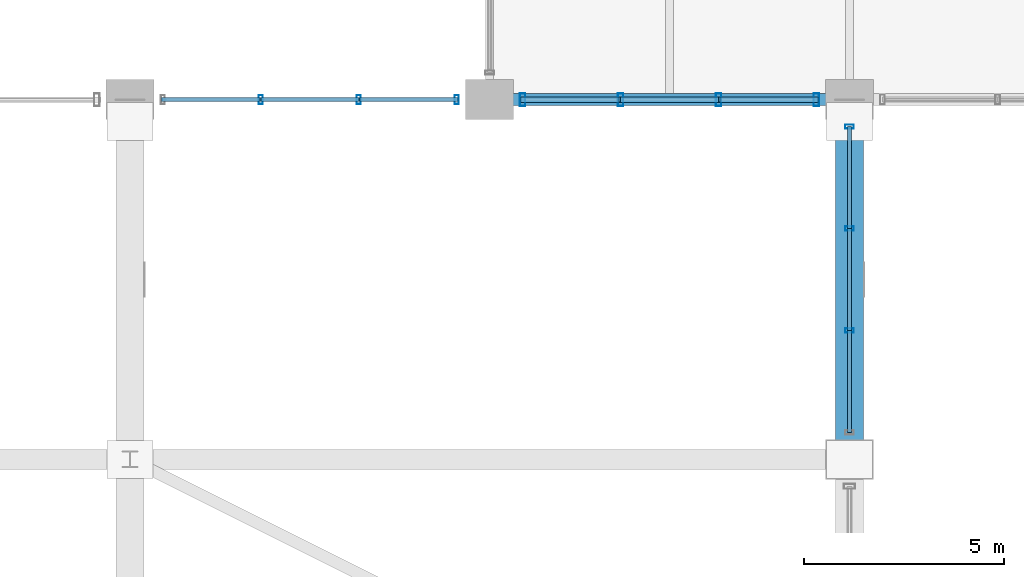
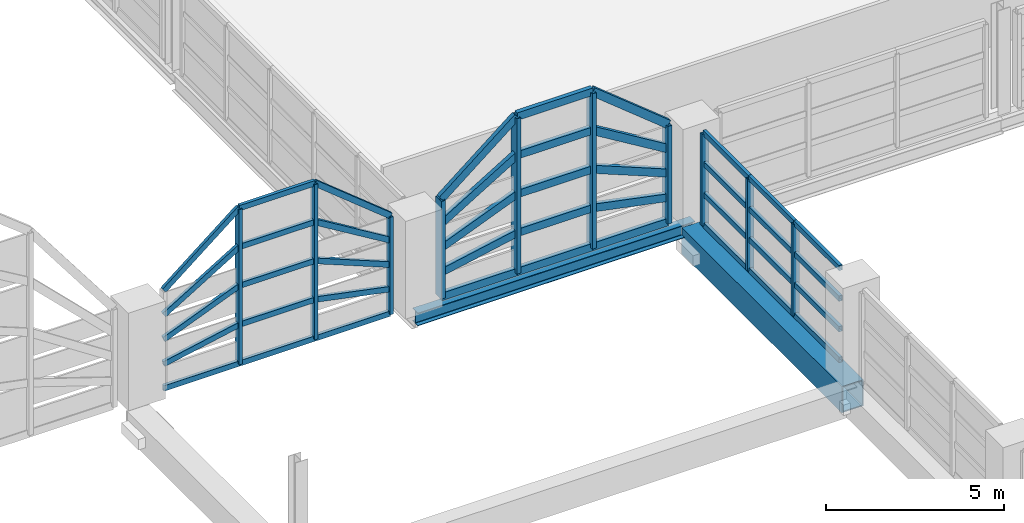
# One storey, part 54 of 116: 52 members, 2 beams, 3 elements without a shape of their own.
"""IFC4 building model written with IfcOpenShell, lengths in metres."""

from ifc_helpers import new_model, si_unit, direction, frame, origin, origin_2d, place, context, subcontext, project, spatial, hollow_rectangle, i_section, extrude, material, material_profile, profile_set, type_object, element, aggregate, save


model = new_model("IFC4")

# Units and contexts
model_context = context("Model", 3, precision=1e-05, world=origin(), true_north=direction((0.0, 1.0)))
body_context = subcontext(model_context, "Body", "Model", "MODEL_VIEW")
ifc_project = project(units=[si_unit("LENGTHUNIT", "METRE"), si_unit("AREAUNIT", "SQUARE_METRE"), si_unit("VOLUMEUNIT", "CUBIC_METRE"), si_unit("PLANEANGLEUNIT", "RADIAN"), si_unit("MASSUNIT", "GRAM", prefix="KILO")], contexts=[model_context])

# Site, building, storey
site_placement = place(None, origin())
site = spatial("IfcSite", under=ifc_project, at=site_placement, CompositionType="ELEMENT")
building_placement = place(site_placement, origin())
building = spatial("IfcBuilding", under=site, at=building_placement, Name="Chuanluo Vaults Station", CompositionType="ELEMENT")
storey_placement = place(building_placement, frame((0.0, 0.0, 10.800048828125)))
storey = spatial("IfcBuildingStorey", under=building, at=storey_placement, Name="L02", CompositionType="ELEMENT", Elevation=10.800048828125)

# Beams
ifc_material_1 = material(Name="Steel Q355C", Category="steel")
ifc_material_profile_1 = material_profile(ifc_material_1, i_section(OverallWidth=0.300048828125, OverallDepth=0.43994140625, WebThickness=0.010986328125, FlangeThickness=0.01806640625, FilletRadius=0.02001953125, at=origin_2d()))
ifc_profile_set_1 = profile_set([ifc_material_profile_1], Name="Steel Q355C")
beam_type_1 = type_object("IfcBeamType", Name="BM-GRD-450", PredefinedType="USERDEFINED", material=ifc_profile_set_1)
beam_1_placement = place(storey_placement, frame((117.0, 103.5, -0.43994140625), z_axis=(1.0, 0.0, 0.0), x_axis=(0.0, 1.0, 0.0)))
element("IfcBeam", 1, at=beam_1_placement, inside=storey, type_object=beam_type_1, Name="Floor girder BM:GX:L02:0597", ObjectType="GIRDER", PredefinedType="USERDEFINED", context=body_context, shape_type="SweptSolid", body=[
    extrude(i_section(OverallWidth=0.300048828125, OverallDepth=0.43994140625, WebThickness=0.010986328125, FlangeThickness=0.01806640625, FilletRadius=0.02001953125, at=origin_2d()), origin(), (0.0, 0.0, 1.0), 9.0),
])
ifc_material_2 = material(Name="Steel Q390C", Category="steel")
ifc_material_profile_2 = material_profile(ifc_material_2, hollow_rectangle(XDim=0.699951171875, YDim=0.89990234375, WallThickness=0.035888671875, at=origin_2d()))
ifc_profile_set_2 = profile_set([ifc_material_profile_2], Name="Steel Q390C")
beam_type_2 = type_object("IfcBeamType", Name="BM-TT-TOP", PredefinedType="USERDEFINED", material=ifc_profile_set_2)
beam_2_placement = place(storey_placement, frame((126.0, 94.5, -0.85009765625), z_axis=(0.0, 1.0, 0.0), x_axis=(-1.0, 0.0, 0.0)))
element("IfcBeam", 2, at=beam_2_placement, inside=storey, type_object=beam_type_2, Name="Transfer truss TT-8 top chord 4", ObjectType="GIRDER", PredefinedType="USERDEFINED", context=body_context, shape_type="SweptSolid", body=[
    extrude(hollow_rectangle(XDim=0.699951171875, YDim=0.89990234375, WallThickness=0.035888671875, at=origin_2d()), origin(), (0.0, 0.0, 1.0), 9.0),
])

# Curtain wall, members
ifc_material_3 = material(Name="Anodised aluminium 6063-T6", Category="aluminium")
curtain_wall_type_1 = type_object("IfcCurtainWallType", Name="CW-SYS-24", PredefinedType="NOTDEFINED", material=ifc_material_3)
curtain_wall_1_placement = place(storey_placement, origin())
curtain_wall_1 = element("IfcCurtainWall", 3, at=curtain_wall_1_placement, inside=storey, type_object=curtain_wall_type_1, Name="Vault V7 north arched curtain wall part 1", PredefinedType="NOTDEFINED")
ifc_material_4 = material(Name="Anodised aluminium 6063-T6", Category="aluminium")
ifc_material_profile_3 = material_profile(ifc_material_4, hollow_rectangle(XDim=0.10498046875, YDim=0.219970703125, WallThickness=0.006103515625, at=origin_2d()))
ifc_profile_set_3 = profile_set([ifc_material_profile_3], Name="Anodised aluminium 6063-T6")
member_type_1 = type_object("IfcMemberType", Name="CWM-140", PredefinedType="MULLION", material=ifc_profile_set_3)
member_1_placement = place(storey_placement, frame((111.27490234375, 103.5, 0.0), z_axis=(0.0, 0.0, 1.0), x_axis=(1.0, 0.0, 0.0)))
member_1 = element("IfcMember", 4, at=member_1_placement, type_object=member_type_1, Name="Vault V7 north arched curtain wall part 1 mullion 2", PredefinedType="MULLION", context=body_context, shape_type="SweptSolid", body=[
    extrude(hollow_rectangle(XDim=0.10498046875, YDim=0.219970703125, WallThickness=0.006103515625, at=origin_2d()), origin(), (0.0, 0.0, 1.0), 5.32763671875),
])
member_2_placement = place(storey_placement, frame((113.72509765625, 103.5, 0.0), z_axis=(0.0, 0.0, 1.0), x_axis=(1.0, 0.0, 0.0)))
member_2 = element("IfcMember", 5, at=member_2_placement, type_object=member_type_1, Name="Vault V7 north arched curtain wall part 1 mullion 3", PredefinedType="MULLION", context=body_context, shape_type="SweptSolid", body=[
    extrude(hollow_rectangle(XDim=0.10498046875, YDim=0.219970703125, WallThickness=0.006103515625, at=origin_2d()), origin(), (0.0, 0.0, 1.0), 5.32763671875),
])
member_3_placement = place(storey_placement, frame((116.175048828125, 103.5, 0.0), z_axis=(0.0, 0.0, 1.0), x_axis=(1.0, 0.0, 0.0)))
member_3 = element("IfcMember", 6, at=member_3_placement, type_object=member_type_1, Name="Vault V7 north arched curtain wall part 1 mullion 4", PredefinedType="MULLION", context=body_context, shape_type="SweptSolid", body=[
    extrude(hollow_rectangle(XDim=0.10498046875, YDim=0.219970703125, WallThickness=0.006103515625, at=origin_2d()), origin(), (0.0, 0.0, 1.0), 3.349853515625),
])

ifc_material_5 = material(Name="Anodised aluminium 6063-T6", Category="aluminium")
curtain_wall_type_2 = type_object("IfcCurtainWallType", Name="CW-SYS-20", PredefinedType="NOTDEFINED", material=ifc_material_5)
curtain_wall_2_placement = place(storey_placement, origin())
curtain_wall_2 = element("IfcCurtainWall", 7, at=curtain_wall_2_placement, inside=storey, type_object=curtain_wall_type_2, Name="Train shed east clerestory CW 94", PredefinedType="NOTDEFINED")
member_4_placement = place(storey_placement, frame((126.0, 102.824951171875, 0.0), z_axis=(0.0, 0.0, 1.0), x_axis=(0.0, -1.0, 0.0)))
member_4 = element("IfcMember", 8, at=member_4_placement, type_object=member_type_1, Name="Train shed east clerestory CW 94 mullion 1", PredefinedType="MULLION", context=body_context, shape_type="SweptSolid", body=[
    extrude(hollow_rectangle(XDim=0.10498046875, YDim=0.219970703125, WallThickness=0.006103515625, at=origin_2d()), origin(), (0.0, 0.0, 1.0), 3.14990234375),
])
member_5_placement = place(storey_placement, frame((126.0, 100.27490234375, 0.0), z_axis=(0.0, 0.0, 1.0), x_axis=(0.0, -1.0, 0.0)))
member_5 = element("IfcMember", 9, at=member_5_placement, type_object=member_type_1, Name="Train shed east clerestory CW 94 mullion 2", PredefinedType="MULLION", context=body_context, shape_type="SweptSolid", body=[
    extrude(hollow_rectangle(XDim=0.10498046875, YDim=0.219970703125, WallThickness=0.006103515625, at=origin_2d()), origin(), (0.0, 0.0, 1.0), 3.14990234375),
])
member_6_placement = place(storey_placement, frame((126.0, 97.72509765625, 0.0), z_axis=(0.0, 0.0, 1.0), x_axis=(0.0, -1.0, 0.0)))
member_6 = element("IfcMember", 10, at=member_6_placement, type_object=member_type_1, Name="Train shed east clerestory CW 94 mullion 3", PredefinedType="MULLION", context=body_context, shape_type="SweptSolid", body=[
    extrude(hollow_rectangle(XDim=0.10498046875, YDim=0.219970703125, WallThickness=0.006103515625, at=origin_2d()), origin(), (0.0, 0.0, 1.0), 3.14990234375),
])

ifc_material_6 = material(Name="Anodised aluminium 6063-T6", Category="aluminium")
curtain_wall_type_3 = type_object("IfcCurtainWallType", Name="CW-SYS-25", PredefinedType="NOTDEFINED", material=ifc_material_6)
curtain_wall_3_placement = place(storey_placement, origin())
curtain_wall_3 = element("IfcCurtainWall", 11, at=curtain_wall_3_placement, inside=storey, type_object=curtain_wall_type_3, Name="Vault V7 north arched curtain wall part 2", PredefinedType="NOTDEFINED")
ifc_material_7 = material(Name="Anodised aluminium 6063-T6", Category="aluminium")
ifc_material_profile_4 = material_profile(ifc_material_7, hollow_rectangle(XDim=0.139892578125, YDim=0.320068359375, WallThickness=0.008056640625, at=origin_2d()))
ifc_profile_set_4 = profile_set([ifc_material_profile_4], Name="Anodised aluminium 6063-T6")
member_type_2 = type_object("IfcMemberType", Name="CWM-220", PredefinedType="MULLION", material=ifc_profile_set_4)
member_7_placement = place(storey_placement, frame((117.824951171875, 103.5, 0.0), z_axis=(0.0, 0.0, 1.0), x_axis=(1.0, 0.0, 0.0)))
member_7 = element("IfcMember", 12, at=member_7_placement, type_object=member_type_2, Name="Vault V7 north arched curtain wall part 2 mullion 1", PredefinedType="MULLION", context=body_context, shape_type="SweptSolid", body=[
    extrude(hollow_rectangle(XDim=0.139892578125, YDim=0.320068359375, WallThickness=0.008056640625, at=origin_2d()), origin(), (0.0, 0.0, 1.0), 3.349853515625),
])
member_8_placement = place(storey_placement, frame((120.27490234375, 103.5, 0.0), z_axis=(0.0, 0.0, 1.0), x_axis=(1.0, 0.0, 0.0)))
member_8 = element("IfcMember", 13, at=member_8_placement, type_object=member_type_2, Name="Vault V7 north arched curtain wall part 2 mullion 2", PredefinedType="MULLION", context=body_context, shape_type="SweptSolid", body=[
    extrude(hollow_rectangle(XDim=0.139892578125, YDim=0.320068359375, WallThickness=0.008056640625, at=origin_2d()), origin(), (0.0, 0.0, 1.0), 5.32763671875),
])
member_9_placement = place(storey_placement, frame((122.72509765625, 103.5, 0.0), z_axis=(0.0, 0.0, 1.0), x_axis=(1.0, 0.0, 0.0)))
member_9 = element("IfcMember", 14, at=member_9_placement, type_object=member_type_2, Name="Vault V7 north arched curtain wall part 2 mullion 3", PredefinedType="MULLION", context=body_context, shape_type="SweptSolid", body=[
    extrude(hollow_rectangle(XDim=0.139892578125, YDim=0.320068359375, WallThickness=0.008056640625, at=origin_2d()), origin(), (0.0, 0.0, 1.0), 5.32763671875),
])
member_10_placement = place(storey_placement, frame((125.175048828125, 103.5, 0.0), z_axis=(0.0, 0.0, 1.0), x_axis=(1.0, 0.0, 0.0)))
member_10 = element("IfcMember", 15, at=member_10_placement, type_object=member_type_2, Name="Vault V7 north arched curtain wall part 2 mullion 4", PredefinedType="MULLION", context=body_context, shape_type="SweptSolid", body=[
    extrude(hollow_rectangle(XDim=0.139892578125, YDim=0.320068359375, WallThickness=0.008056640625, at=origin_2d()), origin(), (0.0, 0.0, 1.0), 3.349853515625),
])

# Member
ifc_material_8 = material(Name="Anodised aluminium 6063-T6", Category="aluminium")
ifc_material_profile_5 = material_profile(ifc_material_8, hollow_rectangle(XDim=0.10498046875, YDim=0.18505859375, WallThickness=0.0048828125, at=origin_2d()))
ifc_profile_set_5 = profile_set([ifc_material_profile_5], Name="Anodised aluminium 6063-T6")
member_type_3 = type_object("IfcMemberType", Name="CWT-110", PredefinedType="USERDEFINED", material=ifc_profile_set_5)
member_11_placement = place(storey_placement, frame((108.824951171875, 103.5, 0.0), z_axis=(1.0, 0.0, 0.0), x_axis=(0.0, 1.0, 0.0)))
member_11 = element("IfcMember", 16, at=member_11_placement, type_object=member_type_3, Name="Vault V7 north arched curtain wall part 1 transom 1.1", ObjectType="TRANSOM", PredefinedType="USERDEFINED", context=body_context, shape_type="SweptSolid", body=[
    extrude(hollow_rectangle(XDim=0.10498046875, YDim=0.18505859375, WallThickness=0.0048828125, at=origin_2d()), origin(), (0.0, 0.0, 1.0), 2.449951171875),
])

member_12_placement = place(storey_placement, frame((108.824951171875, 103.5, 0.83740234375), z_axis=(0.980241087467, 0.0, 0.197806497471), x_axis=(0.0, 1.0, 0.0)))
member_12 = element("IfcMember", 17, at=member_12_placement, type_object=member_type_3, Name="Vault V7 north arched curtain wall part 1 transom 1.2", ObjectType="TRANSOM", PredefinedType="USERDEFINED", context=body_context, shape_type="SweptSolid", body=[
    extrude(hollow_rectangle(XDim=0.10498046875, YDim=0.18505859375, WallThickness=0.0048828125, at=origin_2d()), origin(), (0.0, 0.0, 1.0), 2.499267578125),
])

member_13_placement = place(storey_placement, frame((108.824951171875, 103.5, 1.675048828125), z_axis=(0.92732511456, 0.0, 0.374256772692), x_axis=(0.0, 1.0, 0.0)))
member_13 = element("IfcMember", 18, at=member_13_placement, type_object=member_type_3, Name="Vault V7 north arched curtain wall part 1 transom 1.3", ObjectType="TRANSOM", PredefinedType="USERDEFINED", context=body_context, shape_type="SweptSolid", body=[
    extrude(hollow_rectangle(XDim=0.10498046875, YDim=0.18505859375, WallThickness=0.0048828125, at=origin_2d()), origin(), (0.0, 0.0, 1.0), 2.641845703125),
])

member_14_placement = place(storey_placement, frame((108.824951171875, 103.5, 2.512451171875), z_axis=(0.855417589877, 0.0, 0.517938941314), x_axis=(0.0, 1.0, 0.0)))
member_14 = element("IfcMember", 19, at=member_14_placement, type_object=member_type_3, Name="Vault V7 north arched curtain wall part 1 transom 1.4", ObjectType="TRANSOM", PredefinedType="USERDEFINED", context=body_context, shape_type="SweptSolid", body=[
    extrude(hollow_rectangle(XDim=0.10498046875, YDim=0.18505859375, WallThickness=0.0048828125, at=origin_2d()), origin(), (0.0, 0.0, 1.0), 2.864013671875),
])

member_15_placement = place(storey_placement, frame((108.824951171875, 103.5, 3.349853515625), z_axis=(0.778100050496, 0.0, 0.628140359648), x_axis=(0.0, 1.0, 0.0)))
member_15 = element("IfcMember", 20, at=member_15_placement, type_object=member_type_3, Name="Vault V7 north arched curtain wall part 1 transom 1.5", ObjectType="TRANSOM", PredefinedType="USERDEFINED", context=body_context, shape_type="SweptSolid", body=[
    extrude(hollow_rectangle(XDim=0.10498046875, YDim=0.18505859375, WallThickness=0.0048828125, at=origin_2d()), origin(), (0.0, 0.0, 1.0), 3.148681640625),
])

member_16_placement = place(storey_placement, frame((111.27490234375, 103.5, 0.0), z_axis=(1.0, 0.0, 0.0), x_axis=(0.0, 1.0, 0.0)))
member_16 = element("IfcMember", 21, at=member_16_placement, type_object=member_type_3, Name="Vault V7 north arched curtain wall part 1 transom 2.1", ObjectType="TRANSOM", PredefinedType="USERDEFINED", context=body_context, shape_type="SweptSolid", body=[
    extrude(hollow_rectangle(XDim=0.10498046875, YDim=0.18505859375, WallThickness=0.0048828125, at=origin_2d()), origin(), (0.0, 0.0, 1.0), 2.4501953125),
])

member_17_placement = place(storey_placement, frame((111.27490234375, 103.5, 1.331787109375), z_axis=(1.0, 0.0, 0.0), x_axis=(0.0, 1.0, 0.0)))
member_17 = element("IfcMember", 22, at=member_17_placement, type_object=member_type_3, Name="Vault V7 north arched curtain wall part 1 transom 2.2", ObjectType="TRANSOM", PredefinedType="USERDEFINED", context=body_context, shape_type="SweptSolid", body=[
    extrude(hollow_rectangle(XDim=0.10498046875, YDim=0.18505859375, WallThickness=0.0048828125, at=origin_2d()), origin(), (0.0, 0.0, 1.0), 2.4501953125),
])

member_18_placement = place(storey_placement, frame((111.27490234375, 103.5, 2.663818359375), z_axis=(1.0, 0.0, 0.0), x_axis=(0.0, 1.0, 0.0)))
member_18 = element("IfcMember", 23, at=member_18_placement, type_object=member_type_3, Name="Vault V7 north arched curtain wall part 1 transom 2.3", ObjectType="TRANSOM", PredefinedType="USERDEFINED", context=body_context, shape_type="SweptSolid", body=[
    extrude(hollow_rectangle(XDim=0.10498046875, YDim=0.18505859375, WallThickness=0.0048828125, at=origin_2d()), origin(), (0.0, 0.0, 1.0), 2.4501953125),
])

member_19_placement = place(storey_placement, frame((111.27490234375, 103.5, 3.995849609375), z_axis=(1.0, 0.0, 0.0), x_axis=(0.0, 1.0, 0.0)))
member_19 = element("IfcMember", 24, at=member_19_placement, type_object=member_type_3, Name="Vault V7 north arched curtain wall part 1 transom 2.4", ObjectType="TRANSOM", PredefinedType="USERDEFINED", context=body_context, shape_type="SweptSolid", body=[
    extrude(hollow_rectangle(XDim=0.10498046875, YDim=0.18505859375, WallThickness=0.0048828125, at=origin_2d()), origin(), (0.0, 0.0, 1.0), 2.4501953125),
])

member_20_placement = place(storey_placement, frame((111.27490234375, 103.5, 5.32763671875), z_axis=(1.0, 0.0, 0.0), x_axis=(0.0, 1.0, 0.0)))
member_20 = element("IfcMember", 25, at=member_20_placement, type_object=member_type_3, Name="Vault V7 north arched curtain wall part 1 transom 2.5", ObjectType="TRANSOM", PredefinedType="USERDEFINED", context=body_context, shape_type="SweptSolid", body=[
    extrude(hollow_rectangle(XDim=0.10498046875, YDim=0.18505859375, WallThickness=0.0048828125, at=origin_2d()), origin(), (0.0, 0.0, 1.0), 2.4501953125),
])

member_21_placement = place(storey_placement, frame((113.72509765625, 103.5, 0.0), z_axis=(1.0, 0.0, 0.0), x_axis=(0.0, 1.0, 0.0)))
member_21 = element("IfcMember", 26, at=member_21_placement, type_object=member_type_3, Name="Vault V7 north arched curtain wall part 1 transom 3.1", ObjectType="TRANSOM", PredefinedType="USERDEFINED", context=body_context, shape_type="SweptSolid", body=[
    extrude(hollow_rectangle(XDim=0.10498046875, YDim=0.18505859375, WallThickness=0.0048828125, at=origin_2d()), origin(), (0.0, 0.0, 1.0), 2.449951171875),
])

member_22_placement = place(storey_placement, frame((113.72509765625, 103.5, 1.331787109375), z_axis=(0.980241087467, 0.0, -0.197806497471), x_axis=(0.0, 1.0, 0.0)))
member_22 = element("IfcMember", 27, at=member_22_placement, type_object=member_type_3, Name="Vault V7 north arched curtain wall part 1 transom 3.2", ObjectType="TRANSOM", PredefinedType="USERDEFINED", context=body_context, shape_type="SweptSolid", body=[
    extrude(hollow_rectangle(XDim=0.10498046875, YDim=0.18505859375, WallThickness=0.0048828125, at=origin_2d()), origin(), (0.0, 0.0, 1.0), 2.499267578125),
])

member_23_placement = place(storey_placement, frame((113.72509765625, 103.5, 2.663818359375), z_axis=(0.92732511456, 0.0, -0.374256772692), x_axis=(0.0, 1.0, 0.0)))
member_23 = element("IfcMember", 28, at=member_23_placement, type_object=member_type_3, Name="Vault V7 north arched curtain wall part 1 transom 3.3", ObjectType="TRANSOM", PredefinedType="USERDEFINED", context=body_context, shape_type="SweptSolid", body=[
    extrude(hollow_rectangle(XDim=0.10498046875, YDim=0.18505859375, WallThickness=0.0048828125, at=origin_2d()), origin(), (0.0, 0.0, 1.0), 2.641845703125),
])

member_24_placement = place(storey_placement, frame((113.72509765625, 103.5, 3.995849609375), z_axis=(0.855417589877, 0.0, -0.517938941314), x_axis=(0.0, 1.0, 0.0)))
member_24 = element("IfcMember", 29, at=member_24_placement, type_object=member_type_3, Name="Vault V7 north arched curtain wall part 1 transom 3.4", ObjectType="TRANSOM", PredefinedType="USERDEFINED", context=body_context, shape_type="SweptSolid", body=[
    extrude(hollow_rectangle(XDim=0.10498046875, YDim=0.18505859375, WallThickness=0.0048828125, at=origin_2d()), origin(), (0.0, 0.0, 1.0), 2.864013671875),
])

member_25_placement = place(storey_placement, frame((113.72509765625, 103.5, 5.32763671875), z_axis=(0.778100050496, 0.0, -0.628140359648), x_axis=(0.0, 1.0, 0.0)))
member_25 = element("IfcMember", 30, at=member_25_placement, type_object=member_type_3, Name="Vault V7 north arched curtain wall part 1 transom 3.5", ObjectType="TRANSOM", PredefinedType="USERDEFINED", context=body_context, shape_type="SweptSolid", body=[
    extrude(hollow_rectangle(XDim=0.10498046875, YDim=0.18505859375, WallThickness=0.0048828125, at=origin_2d()), origin(), (0.0, 0.0, 1.0), 3.148681640625),
])

aggregate(curtain_wall_1, [member_1, member_2, member_3, member_11, member_12, member_13, member_14, member_15, member_16, member_17, member_18, member_19, member_20, member_21, member_22, member_23, member_24, member_25])

member_26_placement = place(storey_placement, frame((126.0, 102.824951171875, 0.0), z_axis=(0.0, -1.0, 0.0), x_axis=(1.0, 0.0, 0.0)))
member_26 = element("IfcMember", 31, at=member_26_placement, type_object=member_type_3, Name="Train shed east clerestory CW 94 transom 1.1", ObjectType="TRANSOM", PredefinedType="USERDEFINED", context=body_context, shape_type="SweptSolid", body=[
    extrude(hollow_rectangle(XDim=0.10498046875, YDim=0.18505859375, WallThickness=0.0048828125, at=origin_2d()), origin(), (0.0, 0.0, 1.0), 2.550048828125),
])

member_27_placement = place(storey_placement, frame((126.0, 102.824951171875, 1.050048828125), z_axis=(0.0, -1.0, 0.0), x_axis=(1.0, 0.0, 0.0)))
member_27 = element("IfcMember", 32, at=member_27_placement, type_object=member_type_3, Name="Train shed east clerestory CW 94 transom 1.2", ObjectType="TRANSOM", PredefinedType="USERDEFINED", context=body_context, shape_type="SweptSolid", body=[
    extrude(hollow_rectangle(XDim=0.10498046875, YDim=0.18505859375, WallThickness=0.0048828125, at=origin_2d()), origin(), (0.0, 0.0, 1.0), 2.550048828125),
])

member_28_placement = place(storey_placement, frame((126.0, 102.824951171875, 2.099853515625), z_axis=(0.0, -1.0, 0.0), x_axis=(1.0, 0.0, 0.0)))
member_28 = element("IfcMember", 33, at=member_28_placement, type_object=member_type_3, Name="Train shed east clerestory CW 94 transom 1.3", ObjectType="TRANSOM", PredefinedType="USERDEFINED", context=body_context, shape_type="SweptSolid", body=[
    extrude(hollow_rectangle(XDim=0.10498046875, YDim=0.18505859375, WallThickness=0.0048828125, at=origin_2d()), origin(), (0.0, 0.0, 1.0), 2.550048828125),
])

member_29_placement = place(storey_placement, frame((126.0, 102.824951171875, 3.14990234375), z_axis=(0.0, -1.0, 0.0), x_axis=(1.0, 0.0, 0.0)))
member_29 = element("IfcMember", 34, at=member_29_placement, type_object=member_type_3, Name="Train shed east clerestory CW 94 transom 1.4", ObjectType="TRANSOM", PredefinedType="USERDEFINED", context=body_context, shape_type="SweptSolid", body=[
    extrude(hollow_rectangle(XDim=0.10498046875, YDim=0.18505859375, WallThickness=0.0048828125, at=origin_2d()), origin(), (0.0, 0.0, 1.0), 2.550048828125),
])

member_30_placement = place(storey_placement, frame((126.0, 100.27490234375, 0.0), z_axis=(0.0, -1.0, 0.0), x_axis=(1.0, 0.0, 0.0)))
member_30 = element("IfcMember", 35, at=member_30_placement, type_object=member_type_3, Name="Train shed east clerestory CW 94 transom 2.1", ObjectType="TRANSOM", PredefinedType="USERDEFINED", context=body_context, shape_type="SweptSolid", body=[
    extrude(hollow_rectangle(XDim=0.10498046875, YDim=0.18505859375, WallThickness=0.0048828125, at=origin_2d()), origin(), (0.0, 0.0, 1.0), 2.5498046875),
])

member_31_placement = place(storey_placement, frame((126.0, 100.27490234375, 1.050048828125), z_axis=(0.0, -1.0, 0.0), x_axis=(1.0, 0.0, 0.0)))
member_31 = element("IfcMember", 36, at=member_31_placement, type_object=member_type_3, Name="Train shed east clerestory CW 94 transom 2.2", ObjectType="TRANSOM", PredefinedType="USERDEFINED", context=body_context, shape_type="SweptSolid", body=[
    extrude(hollow_rectangle(XDim=0.10498046875, YDim=0.18505859375, WallThickness=0.0048828125, at=origin_2d()), origin(), (0.0, 0.0, 1.0), 2.5498046875),
])

member_32_placement = place(storey_placement, frame((126.0, 100.27490234375, 2.099853515625), z_axis=(0.0, -1.0, 0.0), x_axis=(1.0, 0.0, 0.0)))
member_32 = element("IfcMember", 37, at=member_32_placement, type_object=member_type_3, Name="Train shed east clerestory CW 94 transom 2.3", ObjectType="TRANSOM", PredefinedType="USERDEFINED", context=body_context, shape_type="SweptSolid", body=[
    extrude(hollow_rectangle(XDim=0.10498046875, YDim=0.18505859375, WallThickness=0.0048828125, at=origin_2d()), origin(), (0.0, 0.0, 1.0), 2.5498046875),
])

member_33_placement = place(storey_placement, frame((126.0, 100.27490234375, 3.14990234375), z_axis=(0.0, -1.0, 0.0), x_axis=(1.0, 0.0, 0.0)))
member_33 = element("IfcMember", 38, at=member_33_placement, type_object=member_type_3, Name="Train shed east clerestory CW 94 transom 2.4", ObjectType="TRANSOM", PredefinedType="USERDEFINED", context=body_context, shape_type="SweptSolid", body=[
    extrude(hollow_rectangle(XDim=0.10498046875, YDim=0.18505859375, WallThickness=0.0048828125, at=origin_2d()), origin(), (0.0, 0.0, 1.0), 2.5498046875),
])

member_34_placement = place(storey_placement, frame((126.0, 97.72509765625, 0.0), z_axis=(0.0, -1.0, 0.0), x_axis=(1.0, 0.0, 0.0)))
member_34 = element("IfcMember", 39, at=member_34_placement, type_object=member_type_3, Name="Train shed east clerestory CW 94 transom 3.1", ObjectType="TRANSOM", PredefinedType="USERDEFINED", context=body_context, shape_type="SweptSolid", body=[
    extrude(hollow_rectangle(XDim=0.10498046875, YDim=0.18505859375, WallThickness=0.0048828125, at=origin_2d()), origin(), (0.0, 0.0, 1.0), 2.550048828125),
])

member_35_placement = place(storey_placement, frame((126.0, 97.72509765625, 1.050048828125), z_axis=(0.0, -1.0, 0.0), x_axis=(1.0, 0.0, 0.0)))
member_35 = element("IfcMember", 40, at=member_35_placement, type_object=member_type_3, Name="Train shed east clerestory CW 94 transom 3.2", ObjectType="TRANSOM", PredefinedType="USERDEFINED", context=body_context, shape_type="SweptSolid", body=[
    extrude(hollow_rectangle(XDim=0.10498046875, YDim=0.18505859375, WallThickness=0.0048828125, at=origin_2d()), origin(), (0.0, 0.0, 1.0), 2.550048828125),
])

member_36_placement = place(storey_placement, frame((126.0, 97.72509765625, 2.099853515625), z_axis=(0.0, -1.0, 0.0), x_axis=(1.0, 0.0, 0.0)))
member_36 = element("IfcMember", 41, at=member_36_placement, type_object=member_type_3, Name="Train shed east clerestory CW 94 transom 3.3", ObjectType="TRANSOM", PredefinedType="USERDEFINED", context=body_context, shape_type="SweptSolid", body=[
    extrude(hollow_rectangle(XDim=0.10498046875, YDim=0.18505859375, WallThickness=0.0048828125, at=origin_2d()), origin(), (0.0, 0.0, 1.0), 2.550048828125),
])

member_37_placement = place(storey_placement, frame((126.0, 97.72509765625, 3.14990234375), z_axis=(0.0, -1.0, 0.0), x_axis=(1.0, 0.0, 0.0)))
member_37 = element("IfcMember", 42, at=member_37_placement, type_object=member_type_3, Name="Train shed east clerestory CW 94 transom 3.4", ObjectType="TRANSOM", PredefinedType="USERDEFINED", context=body_context, shape_type="SweptSolid", body=[
    extrude(hollow_rectangle(XDim=0.10498046875, YDim=0.18505859375, WallThickness=0.0048828125, at=origin_2d()), origin(), (0.0, 0.0, 1.0), 2.550048828125),
])

aggregate(curtain_wall_2, [member_4, member_5, member_6, member_26, member_27, member_28, member_29, member_30, member_31, member_32, member_33, member_34, member_35, member_36, member_37])

ifc_material_9 = material(Name="Anodised aluminium 6063-T6", Category="aluminium")
ifc_material_profile_6 = material_profile(ifc_material_9, hollow_rectangle(XDim=0.139892578125, YDim=0.260009765625, WallThickness=0.007080078125, at=origin_2d()))
ifc_profile_set_6 = profile_set([ifc_material_profile_6], Name="Anodised aluminium 6063-T6")
member_type_4 = type_object("IfcMemberType", Name="CWT-180", PredefinedType="USERDEFINED", material=ifc_profile_set_6)
member_38_placement = place(storey_placement, frame((117.824951171875, 103.5, 0.0), z_axis=(1.0, 0.0, 0.0), x_axis=(0.0, 1.0, 0.0)))
member_38 = element("IfcMember", 43, at=member_38_placement, type_object=member_type_4, Name="Vault V7 north arched curtain wall part 2 transom 1.1", ObjectType="TRANSOM", PredefinedType="USERDEFINED", context=body_context, shape_type="SweptSolid", body=[
    extrude(hollow_rectangle(XDim=0.139892578125, YDim=0.260009765625, WallThickness=0.007080078125, at=origin_2d()), origin(), (0.0, 0.0, 1.0), 2.449951171875),
])

member_39_placement = place(storey_placement, frame((117.824951171875, 103.5, 0.83740234375), z_axis=(0.980241087467, 0.0, 0.197806497471), x_axis=(0.0, 1.0, 0.0)))
member_39 = element("IfcMember", 44, at=member_39_placement, type_object=member_type_4, Name="Vault V7 north arched curtain wall part 2 transom 1.2", ObjectType="TRANSOM", PredefinedType="USERDEFINED", context=body_context, shape_type="SweptSolid", body=[
    extrude(hollow_rectangle(XDim=0.139892578125, YDim=0.260009765625, WallThickness=0.007080078125, at=origin_2d()), origin(), (0.0, 0.0, 1.0), 2.499267578125),
])

member_40_placement = place(storey_placement, frame((117.824951171875, 103.5, 1.675048828125), z_axis=(0.92732511456, 0.0, 0.374256772692), x_axis=(0.0, 1.0, 0.0)))
member_40 = element("IfcMember", 45, at=member_40_placement, type_object=member_type_4, Name="Vault V7 north arched curtain wall part 2 transom 1.3", ObjectType="TRANSOM", PredefinedType="USERDEFINED", context=body_context, shape_type="SweptSolid", body=[
    extrude(hollow_rectangle(XDim=0.139892578125, YDim=0.260009765625, WallThickness=0.007080078125, at=origin_2d()), origin(), (0.0, 0.0, 1.0), 2.641845703125),
])

member_41_placement = place(storey_placement, frame((117.824951171875, 103.5, 2.512451171875), z_axis=(0.855417589877, 0.0, 0.517938941314), x_axis=(0.0, 1.0, 0.0)))
member_41 = element("IfcMember", 46, at=member_41_placement, type_object=member_type_4, Name="Vault V7 north arched curtain wall part 2 transom 1.4", ObjectType="TRANSOM", PredefinedType="USERDEFINED", context=body_context, shape_type="SweptSolid", body=[
    extrude(hollow_rectangle(XDim=0.139892578125, YDim=0.260009765625, WallThickness=0.007080078125, at=origin_2d()), origin(), (0.0, 0.0, 1.0), 2.864013671875),
])

member_42_placement = place(storey_placement, frame((117.824951171875, 103.5, 3.349853515625), z_axis=(0.778100050496, 0.0, 0.628140359648), x_axis=(0.0, 1.0, 0.0)))
member_42 = element("IfcMember", 47, at=member_42_placement, type_object=member_type_4, Name="Vault V7 north arched curtain wall part 2 transom 1.5", ObjectType="TRANSOM", PredefinedType="USERDEFINED", context=body_context, shape_type="SweptSolid", body=[
    extrude(hollow_rectangle(XDim=0.139892578125, YDim=0.260009765625, WallThickness=0.007080078125, at=origin_2d()), origin(), (0.0, 0.0, 1.0), 3.148681640625),
])

member_43_placement = place(storey_placement, frame((120.27490234375, 103.5, 0.0), z_axis=(1.0, 0.0, 0.0), x_axis=(0.0, 1.0, 0.0)))
member_43 = element("IfcMember", 48, at=member_43_placement, type_object=member_type_4, Name="Vault V7 north arched curtain wall part 2 transom 2.1", ObjectType="TRANSOM", PredefinedType="USERDEFINED", context=body_context, shape_type="SweptSolid", body=[
    extrude(hollow_rectangle(XDim=0.139892578125, YDim=0.260009765625, WallThickness=0.007080078125, at=origin_2d()), origin(), (0.0, 0.0, 1.0), 2.4501953125),
])

member_44_placement = place(storey_placement, frame((120.27490234375, 103.5, 1.331787109375), z_axis=(1.0, 0.0, 0.0), x_axis=(0.0, 1.0, 0.0)))
member_44 = element("IfcMember", 49, at=member_44_placement, type_object=member_type_4, Name="Vault V7 north arched curtain wall part 2 transom 2.2", ObjectType="TRANSOM", PredefinedType="USERDEFINED", context=body_context, shape_type="SweptSolid", body=[
    extrude(hollow_rectangle(XDim=0.139892578125, YDim=0.260009765625, WallThickness=0.007080078125, at=origin_2d()), origin(), (0.0, 0.0, 1.0), 2.4501953125),
])

member_45_placement = place(storey_placement, frame((120.27490234375, 103.5, 2.663818359375), z_axis=(1.0, 0.0, 0.0), x_axis=(0.0, 1.0, 0.0)))
member_45 = element("IfcMember", 50, at=member_45_placement, type_object=member_type_4, Name="Vault V7 north arched curtain wall part 2 transom 2.3", ObjectType="TRANSOM", PredefinedType="USERDEFINED", context=body_context, shape_type="SweptSolid", body=[
    extrude(hollow_rectangle(XDim=0.139892578125, YDim=0.260009765625, WallThickness=0.007080078125, at=origin_2d()), origin(), (0.0, 0.0, 1.0), 2.4501953125),
])

member_46_placement = place(storey_placement, frame((120.27490234375, 103.5, 3.995849609375), z_axis=(1.0, 0.0, 0.0), x_axis=(0.0, 1.0, 0.0)))
member_46 = element("IfcMember", 51, at=member_46_placement, type_object=member_type_4, Name="Vault V7 north arched curtain wall part 2 transom 2.4", ObjectType="TRANSOM", PredefinedType="USERDEFINED", context=body_context, shape_type="SweptSolid", body=[
    extrude(hollow_rectangle(XDim=0.139892578125, YDim=0.260009765625, WallThickness=0.007080078125, at=origin_2d()), origin(), (0.0, 0.0, 1.0), 2.4501953125),
])

member_47_placement = place(storey_placement, frame((120.27490234375, 103.5, 5.32763671875), z_axis=(1.0, 0.0, 0.0), x_axis=(0.0, 1.0, 0.0)))
member_47 = element("IfcMember", 52, at=member_47_placement, type_object=member_type_4, Name="Vault V7 north arched curtain wall part 2 transom 2.5", ObjectType="TRANSOM", PredefinedType="USERDEFINED", context=body_context, shape_type="SweptSolid", body=[
    extrude(hollow_rectangle(XDim=0.139892578125, YDim=0.260009765625, WallThickness=0.007080078125, at=origin_2d()), origin(), (0.0, 0.0, 1.0), 2.4501953125),
])

member_48_placement = place(storey_placement, frame((122.72509765625, 103.5, 0.0), z_axis=(1.0, 0.0, 0.0), x_axis=(0.0, 1.0, 0.0)))
member_48 = element("IfcMember", 53, at=member_48_placement, type_object=member_type_4, Name="Vault V7 north arched curtain wall part 2 transom 3.1", ObjectType="TRANSOM", PredefinedType="USERDEFINED", context=body_context, shape_type="SweptSolid", body=[
    extrude(hollow_rectangle(XDim=0.139892578125, YDim=0.260009765625, WallThickness=0.007080078125, at=origin_2d()), origin(), (0.0, 0.0, 1.0), 2.449951171875),
])

member_49_placement = place(storey_placement, frame((122.72509765625, 103.5, 1.331787109375), z_axis=(0.980241087467, 0.0, -0.197806497471), x_axis=(0.0, 1.0, 0.0)))
member_49 = element("IfcMember", 54, at=member_49_placement, type_object=member_type_4, Name="Vault V7 north arched curtain wall part 2 transom 3.2", ObjectType="TRANSOM", PredefinedType="USERDEFINED", context=body_context, shape_type="SweptSolid", body=[
    extrude(hollow_rectangle(XDim=0.139892578125, YDim=0.260009765625, WallThickness=0.007080078125, at=origin_2d()), origin(), (0.0, 0.0, 1.0), 2.499267578125),
])

member_50_placement = place(storey_placement, frame((122.72509765625, 103.5, 2.663818359375), z_axis=(0.92732511456, 0.0, -0.374256772692), x_axis=(0.0, 1.0, 0.0)))
member_50 = element("IfcMember", 55, at=member_50_placement, type_object=member_type_4, Name="Vault V7 north arched curtain wall part 2 transom 3.3", ObjectType="TRANSOM", PredefinedType="USERDEFINED", context=body_context, shape_type="SweptSolid", body=[
    extrude(hollow_rectangle(XDim=0.139892578125, YDim=0.260009765625, WallThickness=0.007080078125, at=origin_2d()), origin(), (0.0, 0.0, 1.0), 2.641845703125),
])

member_51_placement = place(storey_placement, frame((122.72509765625, 103.5, 3.995849609375), z_axis=(0.855417589877, 0.0, -0.517938941314), x_axis=(0.0, 1.0, 0.0)))
member_51 = element("IfcMember", 56, at=member_51_placement, type_object=member_type_4, Name="Vault V7 north arched curtain wall part 2 transom 3.4", ObjectType="TRANSOM", PredefinedType="USERDEFINED", context=body_context, shape_type="SweptSolid", body=[
    extrude(hollow_rectangle(XDim=0.139892578125, YDim=0.260009765625, WallThickness=0.007080078125, at=origin_2d()), origin(), (0.0, 0.0, 1.0), 2.864013671875),
])

member_52_placement = place(storey_placement, frame((122.72509765625, 103.5, 5.32763671875), z_axis=(0.778100050496, 0.0, -0.628140359648), x_axis=(0.0, 1.0, 0.0)))
member_52 = element("IfcMember", 57, at=member_52_placement, type_object=member_type_4, Name="Vault V7 north arched curtain wall part 2 transom 3.5", ObjectType="TRANSOM", PredefinedType="USERDEFINED", context=body_context, shape_type="SweptSolid", body=[
    extrude(hollow_rectangle(XDim=0.139892578125, YDim=0.260009765625, WallThickness=0.007080078125, at=origin_2d()), origin(), (0.0, 0.0, 1.0), 3.148681640625),
])

aggregate(curtain_wall_3, [member_7, member_8, member_9, member_10, member_38, member_39, member_40, member_41, member_42, member_43, member_44, member_45, member_46, member_47, member_48, member_49, member_50, member_51, member_52])

save(model, "model.ifc")
